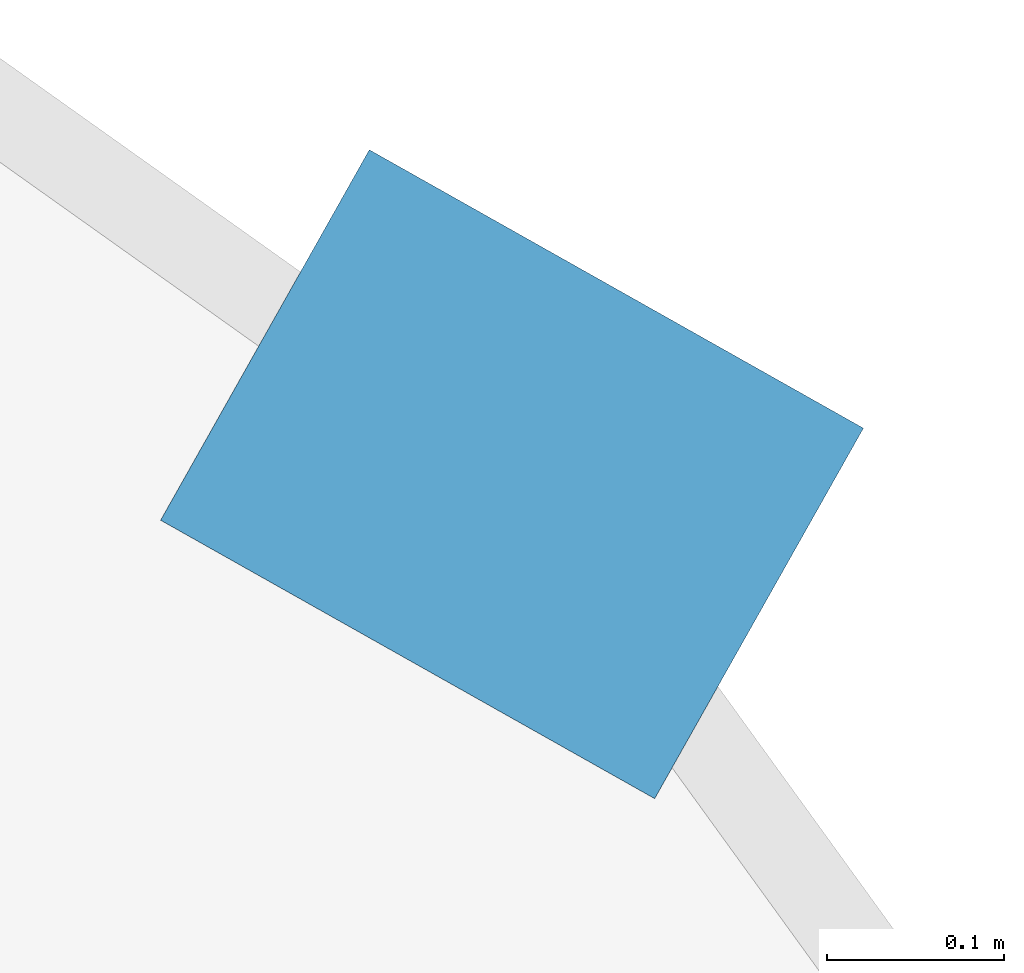
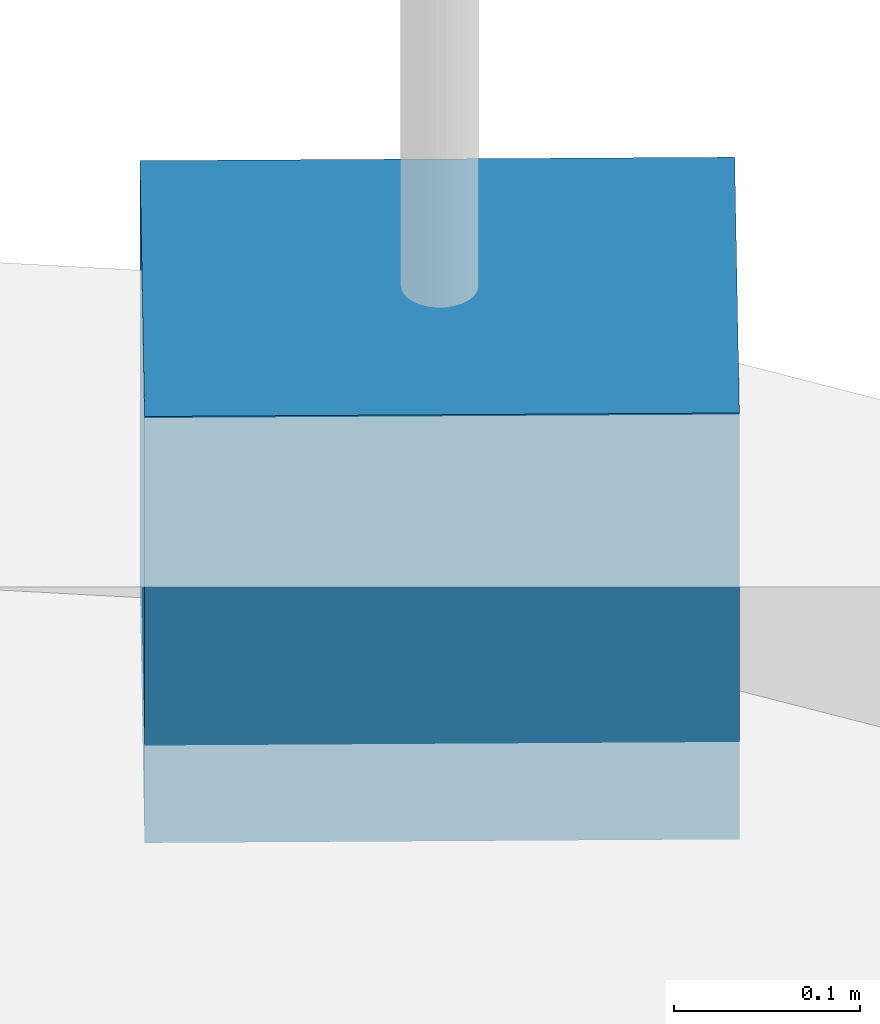
# One storey, part 21 of 23: 1 discrete accessory.
"""IFC4 building model written with IfcOpenShell, lengths in metres."""

from ifc_helpers import new_model, si_unit, direction, frame, origin, origin_2d, place, context, subcontext, project, spatial, rectangle, extrude, material, type_object, element, save


model = new_model("IFC4")

# Units and contexts
model_context = context("Model", 3, precision=1e-05, world=origin(), true_north=direction((0.0, 1.0)))
body_context = subcontext(model_context, "Body", "Model", "MODEL_VIEW")
ifc_project = project(units=[si_unit("LENGTHUNIT", "METRE"), si_unit("AREAUNIT", "SQUARE_METRE"), si_unit("VOLUMEUNIT", "CUBIC_METRE"), si_unit("PLANEANGLEUNIT", "RADIAN"), si_unit("MASSUNIT", "GRAM", prefix="KILO")], contexts=[model_context])

# Site, building, storey
site_placement = place(None, origin())
site = spatial("IfcSite", under=ifc_project, at=site_placement, CompositionType="ELEMENT")
building_placement = place(site_placement, origin())
building = spatial("IfcBuilding", under=site, at=building_placement, Name="Solvirekh Grand Hotel", CompositionType="ELEMENT")
storey_placement = place(building_placement, frame((0.0, 0.0, 109.800048828125)))
storey = spatial("IfcBuildingStorey", under=building, at=storey_placement, Name="L27", CompositionType="ELEMENT", Elevation=109.800048828125)

# Discrete accessory
ifc_material = material(Name="Steel S355", Category="steel")
discrete_accessory_type = type_object("IfcDiscreteAccessoryType", Name="Acc_ThermalBracket", PredefinedType="BRACKET", material=ifc_material)
discrete_accessory_placement = place(storey_placement, frame((18.968017578125, 14.93896484375, -0.2802734375), z_axis=(0.0, 0.0, 1.0), x_axis=(0.87121381112, -0.490903753615, 0.0)))
element("IfcDiscreteAccessory", 1, at=discrete_accessory_placement, inside=storey, type_object=discrete_accessory_type, Name="L27 balcony thermal-break bracket", PredefinedType="BRACKET", context=body_context, shape_type="SweptSolid", body=[
    extrude(rectangle(XDim=0.320068359375, YDim=0.239990234375, at=origin_2d()), origin(), (0.0, 0.0, 1.0), 0.280029296875),
])

save(model, "model.ifc")
